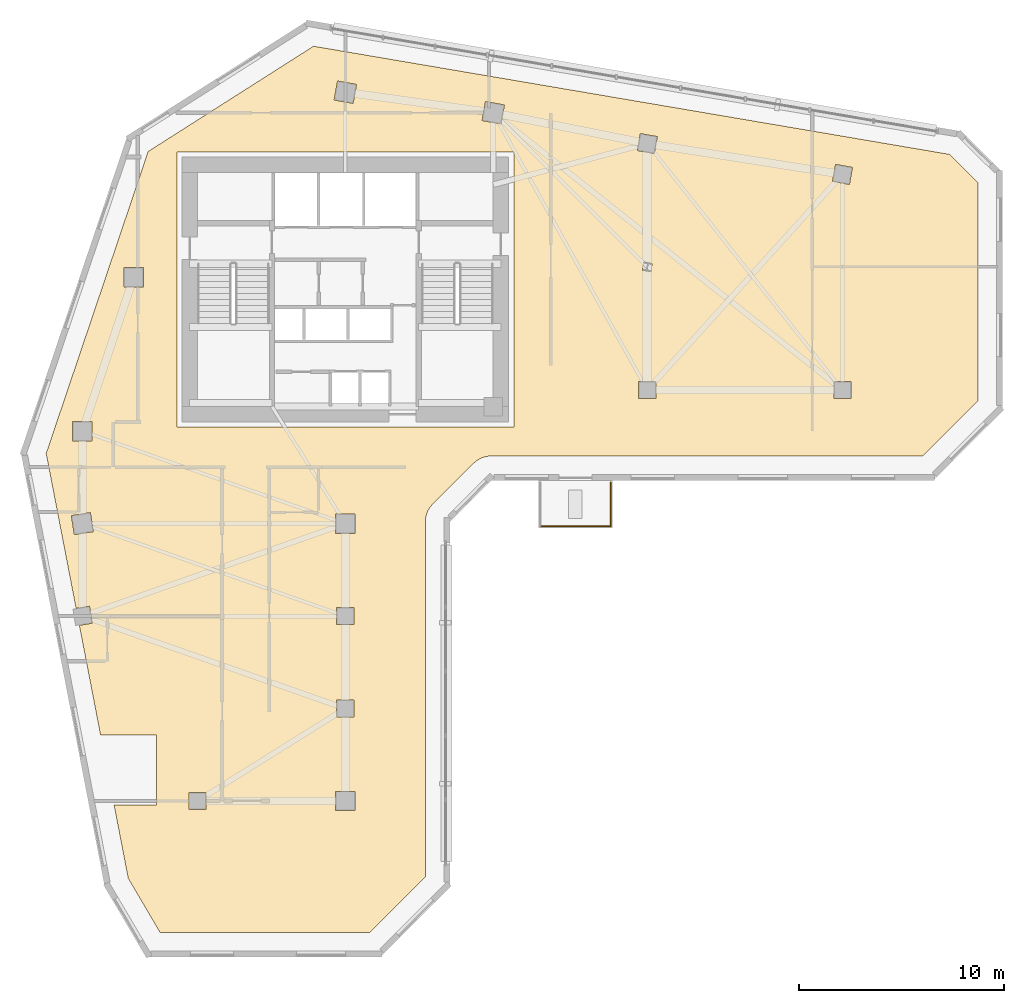
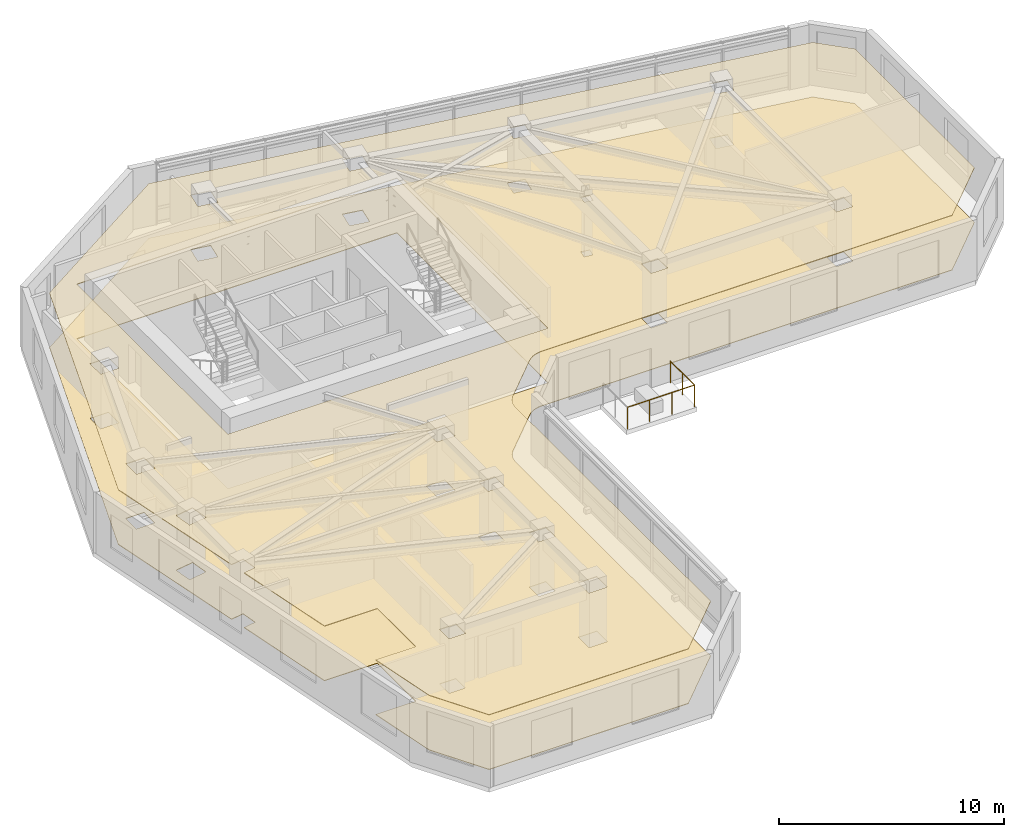
# One storey, part 10 of 12: 2 coverings, 2 railings.
"""IFC4 building model written with IfcOpenShell, lengths in metres."""

from ifc_helpers import new_model, si_unit, direction, frame, origin, origin_2d, place, context, subcontext, project, spatial, polyline, circle, outline, extrude, material, layer, layer_set, type_object, element, save


model = new_model("IFC4")

# Units and contexts
model_context = context("Model", 3, precision=1e-05, world=origin(), true_north=direction((0.0, 1.0)))
body_context = subcontext(model_context, "Body", "Model", "MODEL_VIEW")
ifc_project = project(units=[si_unit("LENGTHUNIT", "METRE"), si_unit("AREAUNIT", "SQUARE_METRE"), si_unit("VOLUMEUNIT", "CUBIC_METRE"), si_unit("PLANEANGLEUNIT", "RADIAN"), si_unit("MASSUNIT", "GRAM", prefix="KILO")], contexts=[model_context])

# Site, building, storey
site_placement = place(None, origin())
site = spatial("IfcSite", under=ifc_project, at=site_placement, CompositionType="ELEMENT")
building_placement = place(site_placement, origin())
building = spatial("IfcBuilding", under=site, at=building_placement, Name="Calvemar Wedge Station Tower", CompositionType="ELEMENT")
storey_placement = place(building_placement, frame((0.0, 0.0, 135.800048828125)))
storey = spatial("IfcBuildingStorey", under=building, at=storey_placement, Name="L33", CompositionType="ELEMENT", Elevation=135.800048828125)

# Coverings
ifc_material_1 = material(Name="Acoustic mineral fibre ceiling board")
ifc_layer_1 = layer(ifc_material_1, 0.0400390625)
ifc_layer_set_1 = layer_set([ifc_layer_1], Name="Acoustic mineral fibre ceiling board")
covering_type_1 = type_object("IfcCoveringType", Name="COV-CEIL-ACOUSTIC", PredefinedType="CEILING", material=ifc_layer_set_1)
covering_1_placement = place(storey_placement, frame((0.0, 0.0, 2.949951171875)))
element("IfcCovering", 1, at=covering_1_placement, inside=storey, type_object=covering_type_1, Name="Storey L33 Acoustic Suspended Ceiling", PredefinedType="CEILING", context=body_context, shape_type="SweptSolid", body=[
    extrude(outline(polyline([(28.047607421875, 29.4404296875), (30.047607421875, 31.4404296875), (30.134765625, 31.51953125), (30.229248046875, 31.58984375), (30.330322265625, 31.650390625), (30.436767578125, 31.70068359375), (30.547607421875, 31.740234375), (30.661865234375, 31.768798828125), (30.7783203125, 31.7861328125), (30.89599609375, 31.7919921875), (51.90283203125, 31.7919921875), (54.60009765625, 34.489013671875), (54.60009765625, 45.094970703125), (53.221923828125, 46.47314453125), (22.25439453125, 51.739501953125), (14.201416015625, 46.614990234375), (9.23828125, 31.91650390625), (10.695068359375, 24.37646484375), (11.348388671875, 24.481201171875), (11.481201171875, 23.651611328125), (10.8544921875, 23.55126953125), (11.888427734375, 18.199951171875), (14.60009765625, 18.199951171875), (14.60009765625, 14.800048828125), (12.54541015625, 14.800048828125), (13.235107421875, 11.23046875), (14.7822265625, 8.60009765625), (24.998779296875, 8.60009765625), (27.696044921875, 11.297119140625), (27.696044921875, 28.592041015625), (27.701904296875, 28.709716796875), (27.718994140625, 28.826171875), (27.747802734375, 28.940185546875), (27.787353515625, 29.05126953125), (27.837646484375, 29.15771484375), (27.898193359375, 29.2587890625), (27.968505859375, 29.353271484375), (28.047607421875, 29.4404296875)]), holes=[polyline([(15.60009765625, 46.60009765625), (32.0, 46.60009765625), (32.0, 33.199951171875), (15.60009765625, 33.199951171875), (15.60009765625, 46.60009765625)]), polyline([(10.530029296875, 32.530029296875), (10.530029296875, 33.469970703125), (11.469970703125, 33.469970703125), (11.469970703125, 32.530029296875), (10.530029296875, 32.530029296875)]), polyline([(13.030029296875, 40.969970703125), (13.969970703125, 40.969970703125), (13.969970703125, 40.030029296875), (13.030029296875, 40.030029296875), (13.030029296875, 40.969970703125)]), polyline([(24.345703125, 49.87939453125), (24.17919921875, 48.9541015625), (23.254150390625, 49.12060546875), (23.420654296875, 50.0458984375), (24.345703125, 49.87939453125)]), polyline([(31.37939453125, 47.9541015625), (30.4541015625, 48.12060546875), (30.62060546875, 49.0458984375), (31.5458984375, 48.87939453125), (31.37939453125, 47.9541015625)]), polyline([(38.01220703125, 46.660888671875), (38.160888671875, 47.48779296875), (38.98779296875, 47.339111328125), (38.839111328125, 46.51220703125), (38.01220703125, 46.660888671875)]), polyline([(47.660888671875, 45.98779296875), (48.48779296875, 45.839111328125), (48.339111328125, 45.01220703125), (47.51220703125, 45.160888671875), (47.660888671875, 45.98779296875)]), polyline([(38.919921875, 35.419921875), (38.919921875, 34.580078125), (38.080078125, 34.580078125), (38.080078125, 35.419921875), (38.919921875, 35.419921875)]), polyline([(48.419921875, 34.580078125), (47.580078125, 34.580078125), (47.580078125, 35.419921875), (48.419921875, 35.419921875), (48.419921875, 34.580078125)]), polyline([(38.259765625, 40.833984375), (38.332763671875, 41.239501953125), (38.740234375, 41.166015625), (38.667236328125, 40.760498046875), (38.259765625, 40.833984375)]), polyline([(11.389892578125, 29.038330078125), (11.538330078125, 28.110107421875), (10.610107421875, 27.961669921875), (10.461669921875, 28.889892578125), (11.389892578125, 29.038330078125)]), polyline([(24.27001953125, 28.030029296875), (23.330078125, 28.030029296875), (23.330078125, 28.969970703125), (24.27001953125, 28.969970703125), (24.27001953125, 28.030029296875)]), polyline([(23.3798828125, 23.580078125), (23.3798828125, 24.419921875), (24.219970703125, 24.419921875), (24.219970703125, 23.580078125), (23.3798828125, 23.580078125)]), polyline([(23.3798828125, 19.919921875), (24.219970703125, 19.919921875), (24.219970703125, 19.080078125), (23.3798828125, 19.080078125), (23.3798828125, 19.919921875)]), polyline([(24.27001953125, 15.469970703125), (24.27001953125, 14.530029296875), (23.330078125, 14.530029296875), (23.330078125, 15.469970703125), (24.27001953125, 15.469970703125)]), polyline([(17.02001953125, 14.580078125), (16.179931640625, 14.580078125), (16.179931640625, 15.419921875), (17.02001953125, 15.419921875), (17.02001953125, 14.580078125)])]), origin(), (0.0, 0.0, 1.0), 0.0400390625),
])
ifc_material_2 = material(Name="Honed coastal granite stone tile", Category="masonry")
ifc_layer_2 = layer(ifc_material_2, 0.030029296875)
ifc_layer_set_2 = layer_set([ifc_layer_2], Name="Honed coastal granite stone tile")
covering_type_2 = type_object("IfcCoveringType", Name="COV-FLR-STONE", PredefinedType="FLOORING", material=ifc_layer_set_2)
covering_2_placement = place(storey_placement, origin())
element("IfcCovering", 2, at=covering_2_placement, inside=storey, type_object=covering_type_2, Name="Storey L33 Architectural Floor Finish", PredefinedType="FLOORING", context=body_context, shape_type="SweptSolid", body=[
    extrude(outline(polyline([(28.047607421875, 29.4404296875), (30.047607421875, 31.4404296875), (30.134765625, 31.51953125), (30.229248046875, 31.58984375), (30.330322265625, 31.650390625), (30.436767578125, 31.70068359375), (30.547607421875, 31.740234375), (30.661865234375, 31.768798828125), (30.7783203125, 31.7861328125), (30.89599609375, 31.7919921875), (51.90283203125, 31.7919921875), (54.60009765625, 34.489013671875), (54.60009765625, 45.094970703125), (53.221923828125, 46.47314453125), (22.25439453125, 51.739501953125), (14.201416015625, 46.614990234375), (9.23828125, 31.91650390625), (10.695068359375, 24.37646484375), (11.348388671875, 24.481201171875), (11.481201171875, 23.651611328125), (10.8544921875, 23.55126953125), (11.888427734375, 18.199951171875), (14.60009765625, 18.199951171875), (14.60009765625, 14.800048828125), (12.54541015625, 14.800048828125), (13.235107421875, 11.23046875), (14.7822265625, 8.60009765625), (24.998779296875, 8.60009765625), (27.696044921875, 11.297119140625), (27.696044921875, 28.592041015625), (27.701904296875, 28.709716796875), (27.718994140625, 28.826171875), (27.747802734375, 28.940185546875), (27.787353515625, 29.05126953125), (27.837646484375, 29.15771484375), (27.898193359375, 29.2587890625), (27.968505859375, 29.353271484375), (28.047607421875, 29.4404296875)]), holes=[polyline([(15.60009765625, 46.60009765625), (32.0, 46.60009765625), (32.0, 33.199951171875), (15.60009765625, 33.199951171875), (15.60009765625, 46.60009765625)]), polyline([(10.530029296875, 32.530029296875), (10.530029296875, 33.469970703125), (11.469970703125, 33.469970703125), (11.469970703125, 32.530029296875), (10.530029296875, 32.530029296875)]), polyline([(13.030029296875, 40.969970703125), (13.969970703125, 40.969970703125), (13.969970703125, 40.030029296875), (13.030029296875, 40.030029296875), (13.030029296875, 40.969970703125)]), polyline([(24.345703125, 49.87939453125), (24.17919921875, 48.9541015625), (23.254150390625, 49.12060546875), (23.420654296875, 50.0458984375), (24.345703125, 49.87939453125)]), polyline([(31.37939453125, 47.9541015625), (30.4541015625, 48.12060546875), (30.62060546875, 49.0458984375), (31.5458984375, 48.87939453125), (31.37939453125, 47.9541015625)]), polyline([(38.01220703125, 46.660888671875), (38.160888671875, 47.48779296875), (38.98779296875, 47.339111328125), (38.839111328125, 46.51220703125), (38.01220703125, 46.660888671875)]), polyline([(47.660888671875, 45.98779296875), (48.48779296875, 45.839111328125), (48.339111328125, 45.01220703125), (47.51220703125, 45.160888671875), (47.660888671875, 45.98779296875)]), polyline([(38.919921875, 35.419921875), (38.919921875, 34.580078125), (38.080078125, 34.580078125), (38.080078125, 35.419921875), (38.919921875, 35.419921875)]), polyline([(48.419921875, 34.580078125), (47.580078125, 34.580078125), (47.580078125, 35.419921875), (48.419921875, 35.419921875), (48.419921875, 34.580078125)]), polyline([(38.259765625, 40.833984375), (38.332763671875, 41.239501953125), (38.740234375, 41.166015625), (38.667236328125, 40.760498046875), (38.259765625, 40.833984375)]), polyline([(11.389892578125, 29.038330078125), (11.538330078125, 28.110107421875), (10.610107421875, 27.961669921875), (10.461669921875, 28.889892578125), (11.389892578125, 29.038330078125)]), polyline([(24.27001953125, 28.030029296875), (23.330078125, 28.030029296875), (23.330078125, 28.969970703125), (24.27001953125, 28.969970703125), (24.27001953125, 28.030029296875)]), polyline([(23.3798828125, 23.580078125), (23.3798828125, 24.419921875), (24.219970703125, 24.419921875), (24.219970703125, 23.580078125), (23.3798828125, 23.580078125)]), polyline([(23.3798828125, 19.919921875), (24.219970703125, 19.919921875), (24.219970703125, 19.080078125), (23.3798828125, 19.080078125), (23.3798828125, 19.919921875)]), polyline([(24.27001953125, 15.469970703125), (24.27001953125, 14.530029296875), (23.330078125, 14.530029296875), (23.330078125, 15.469970703125), (24.27001953125, 15.469970703125)]), polyline([(17.02001953125, 14.580078125), (16.179931640625, 14.580078125), (16.179931640625, 15.419921875), (17.02001953125, 15.419921875), (17.02001953125, 14.580078125)])]), origin(), (0.0, 0.0, 1.0), 0.030029296875),
])

# Railings
ifc_material_3 = material(Name="Stainless steel AISI 316L", Category="steel")
railing_type = type_object("IfcRailingType", Name="GRD-TERR-1200", PredefinedType="GUARDRAIL", material=ifc_material_3)
railing_1_placement = place(storey_placement, frame((36.719970703125, 30.511962890625, 0.0)))
element("IfcRailing", 3, at=railing_1_placement, inside=storey, type_object=railing_type, Name="Storey L33 Spiral Terrace Guard 2", PredefinedType="GUARDRAIL", context=body_context, shape_type="SweptSolid", body=[
    extrude(circle(Radius=0.02392578125, at=origin_2d()), frame((0.0, 0.0, 1.17578125), z_axis=(0.0, -1.0, 0.0), x_axis=(1.0, 0.0, 0.0)), (0.0, 0.0, 1.0), 2.139892578125),
    extrude(circle(Radius=0.02099609375, at=origin_2d()), origin(), (0.0, 0.0, 1.0), 1.15185546875),
    extrude(circle(Radius=0.02099609375, at=origin_2d()), frame((0.0, -1.06982421875, 0.0)), (0.0, 0.0, 1.0), 1.15185546875),
    extrude(circle(Radius=0.02099609375, at=origin_2d()), frame((0.0, -2.139892578125, 0.0)), (0.0, 0.0, 1.0), 1.15185546875),
])
railing_2_placement = place(storey_placement, frame((36.719970703125, 28.3720703125, 0.0)))
element("IfcRailing", 4, at=railing_2_placement, inside=storey, type_object=railing_type, Name="Storey L33 Spiral Terrace Guard 3", PredefinedType="GUARDRAIL", context=body_context, shape_type="SweptSolid", body=[
    extrude(circle(Radius=0.02392578125, at=origin_2d()), frame((0.0, 0.0, 1.17578125), z_axis=(-1.0, 0.0, 0.0), x_axis=(0.0, -1.0, 0.0)), (0.0, 0.0, 1.0), 3.43994140625),
    extrude(circle(Radius=0.02099609375, at=origin_2d()), origin(), (0.0, 0.0, 1.0), 1.15185546875),
    extrude(circle(Radius=0.02099609375, at=origin_2d()), frame((-1.146728515625, 0.0, 0.0)), (0.0, 0.0, 1.0), 1.15185546875),
    extrude(circle(Radius=0.02099609375, at=origin_2d()), frame((-2.293212890625, 0.0, 0.0)), (0.0, 0.0, 1.0), 1.15185546875),
    extrude(circle(Radius=0.02099609375, at=origin_2d()), frame((-3.43994140625, 0.0, 0.0)), (0.0, 0.0, 1.0), 1.15185546875),
])

save(model, "model.ifc")
